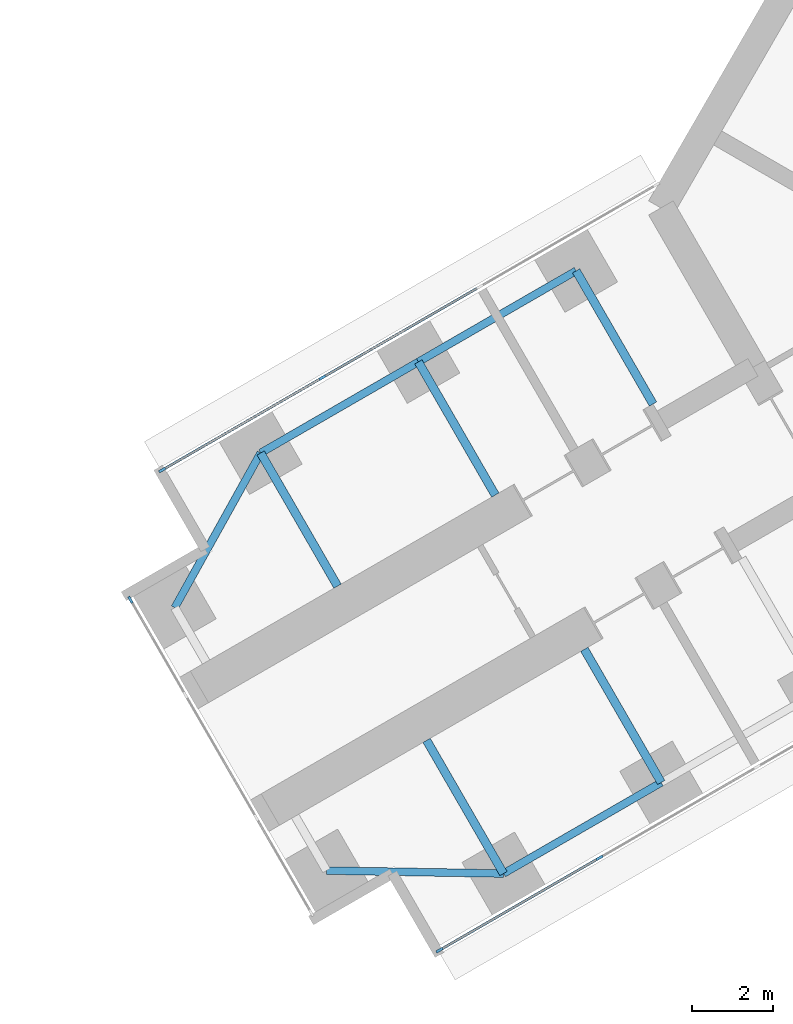
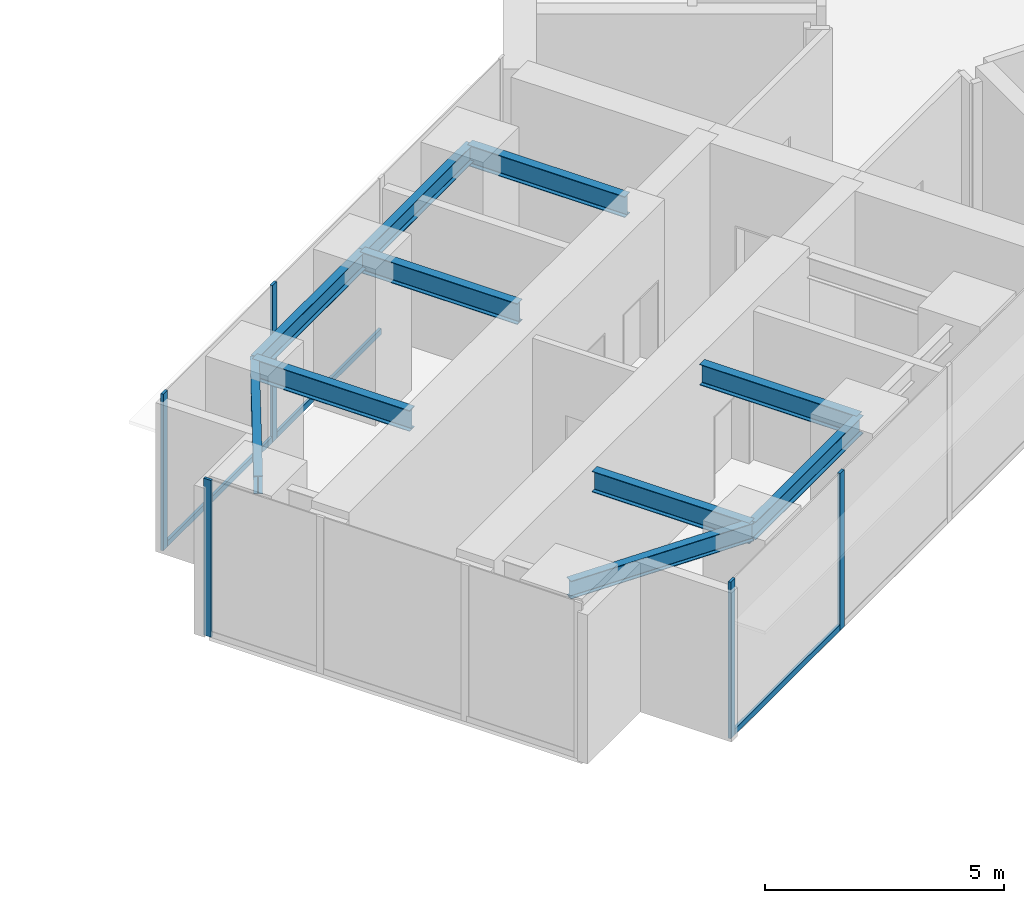
# One storey, part 4 of 23: 10 beams, 8 members, 3 elements without a shape of their own.
"""IFC4 building model written with IfcOpenShell, lengths in metres."""

from ifc_helpers import new_model, si_unit, direction, frame, origin, origin_2d, place, context, subcontext, project, spatial, rectangle, i_section, extrude, material, material_profile, profile_set, type_object, element, aggregate, save


model = new_model("IFC4")

# Units and contexts
model_context = context("Model", 3, precision=1e-05, world=origin(), true_north=direction((0.0, 1.0)))
body_context = subcontext(model_context, "Body", "Model", "MODEL_VIEW")
ifc_project = project(units=[si_unit("LENGTHUNIT", "METRE"), si_unit("AREAUNIT", "SQUARE_METRE"), si_unit("VOLUMEUNIT", "CUBIC_METRE"), si_unit("PLANEANGLEUNIT", "RADIAN"), si_unit("MASSUNIT", "GRAM", prefix="KILO")], contexts=[model_context])

# Site, building, storey
site_placement = place(None, origin())
site = spatial("IfcSite", under=ifc_project, at=site_placement, CompositionType="ELEMENT")
building_placement = place(site_placement, origin())
building = spatial("IfcBuilding", under=site, at=building_placement, Name="Upepo Twin Towers", CompositionType="ELEMENT")
storey_placement = place(building_placement, frame((0.0, 0.0, 32.5)))
storey = spatial("IfcBuildingStorey", under=building, at=storey_placement, Name="L07", CompositionType="ELEMENT", Elevation=32.5)

# Beams
ifc_material_1 = material(Name="Steel S355", Category="steel")
ifc_material_profile_1 = material_profile(ifc_material_1, i_section(OverallWidth=0.1904296875, OverallDepth=0.45703125, WebThickness=0.009033203125, FlangeThickness=0.014404296875, FilletRadius=0.01025390625, at=origin_2d()), Name="UB 457x191x74")
ifc_profile_set_1 = profile_set([ifc_material_profile_1], Name="Steel S355")
beam_type_1 = type_object("IfcBeamType", Name="Beam UB 457x191x74", PredefinedType="BEAM", material=ifc_profile_set_1)
beam_1_placement = place(storey_placement, frame((45.91162109375, -32.196044921875, 3.571533203125), z_axis=(-0.866031096941, -0.499990139034, 0.0), x_axis=(0.499990139034, -0.866031096941, 0.0)))
element("IfcBeam", 1, at=beam_1_placement, inside=storey, type_object=beam_type_1, Name="T2 edge beam BL 18.0-22.5", PredefinedType="BEAM", context=body_context, shape_type="SweptSolid", body=[
    extrude(i_section(OverallWidth=0.1904296875, OverallDepth=0.45703125, WebThickness=0.009033203125, FlangeThickness=0.014404296875, FilletRadius=0.01025390625, at=origin_2d()), origin(), (0.0, 0.0, 1.0), 4.5),
])
beam_2_placement = place(storey_placement, frame((42.014404296875, -34.446044921875, 3.571533203125), z_axis=(-0.999858804832, 0.016803880528, 0.0), x_axis=(-0.016803880528, -0.999858804832, 0.0)))
element("IfcBeam", 2, at=beam_2_placement, inside=storey, type_object=beam_type_1, Name="T2 nose edge beam BL", PredefinedType="BEAM", context=body_context, shape_type="SweptSolid", body=[
    extrude(i_section(OverallWidth=0.1904296875, OverallDepth=0.45703125, WebThickness=0.009033203125, FlangeThickness=0.014404296875, FilletRadius=0.01025390625, at=origin_2d()), origin(), (0.0, 0.0, 1.0), 4.373291015625),
])
beam_3_placement = place(storey_placement, frame((43.80859375, -19.553955078125, 3.571533203125), z_axis=(-0.866017533419, -0.500013631625, 0.0), x_axis=(0.500013631625, -0.866017533419, 0.0)))
element("IfcBeam", 3, at=beam_3_placement, inside=storey, type_object=beam_type_1, Name="T2 edge beam BR 13.5-18.0", PredefinedType="BEAM", context=body_context, shape_type="SweptSolid", body=[
    extrude(i_section(OverallWidth=0.1904296875, OverallDepth=0.45703125, WebThickness=0.009033203125, FlangeThickness=0.014404296875, FilletRadius=0.01025390625, at=origin_2d()), origin(), (0.0, 0.0, 1.0), 4.499755859375),
])
beam_4_placement = place(storey_placement, frame((39.91162109375, -21.803955078125, 3.571533203125), z_axis=(-0.866031096941, -0.499990139034, 0.0), x_axis=(0.499990139034, -0.866031096941, 0.0)))
element("IfcBeam", 4, at=beam_4_placement, inside=storey, type_object=beam_type_1, Name="T2 edge beam BR 18.0-22.5", PredefinedType="BEAM", context=body_context, shape_type="SweptSolid", body=[
    extrude(i_section(OverallWidth=0.1904296875, OverallDepth=0.45703125, WebThickness=0.009033203125, FlangeThickness=0.014404296875, FilletRadius=0.01025390625, at=origin_2d()), origin(), (0.0, 0.0, 1.0), 4.5),
])
beam_5_placement = place(storey_placement, frame((36.014404296875, -24.053955078125, 3.571533203125), z_axis=(-0.485363242752, -0.874312600038, 0.0), x_axis=(0.874312600038, -0.485363242752, 0.0)))
element("IfcBeam", 5, at=beam_5_placement, inside=storey, type_object=beam_type_1, Name="T2 nose edge beam BR", PredefinedType="BEAM", context=body_context, shape_type="SweptSolid", body=[
    extrude(i_section(OverallWidth=0.1904296875, OverallDepth=0.45703125, WebThickness=0.009033203125, FlangeThickness=0.014404296875, FilletRadius=0.01025390625, at=origin_2d()), origin(), (0.0, 0.0, 1.0), 4.373046875),
])
ifc_material_2 = material(Name="Steel S355", Category="steel")
ifc_material_profile_2 = material_profile(ifc_material_2, i_section(OverallWidth=0.209228515625, OverallDepth=0.533203125, WebThickness=0.010009765625, FlangeThickness=0.015625, FilletRadius=0.0126953125, at=origin_2d()), Name="UB 533x210x92")
ifc_profile_set_2 = profile_set([ifc_material_profile_2], Name="Steel S355")
beam_type_2 = type_object("IfcBeamType", Name="Beam UB 533x210x92", PredefinedType="BEAM", material=ifc_profile_set_2)
beam_6_placement = place(storey_placement, frame((45.91162109375, -32.196044921875, 3.533447265625), z_axis=(-0.500043160704, 0.866000483506, 0.0), x_axis=(-0.866000483506, -0.500043160704, 0.0)))
element("IfcBeam", 6, at=beam_6_placement, inside=storey, type_object=beam_type_2, Name="T2 girder BL at 18.0", PredefinedType="BEAM", context=body_context, shape_type="SweptSolid", body=[
    extrude(i_section(OverallWidth=0.209228515625, OverallDepth=0.533203125, WebThickness=0.010009765625, FlangeThickness=0.015625, FilletRadius=0.0126953125, at=origin_2d()), origin(), (0.0, 0.0, 1.0), 3.800048828125),
])
beam_7_placement = place(storey_placement, frame((42.014404296875, -34.446044921875, 3.533447265625), z_axis=(-0.499994975061, 0.866028304915, 0.0), x_axis=(-0.866028304915, -0.499994975061, 0.0)))
element("IfcBeam", 7, at=beam_7_placement, inside=storey, type_object=beam_type_2, Name="T2 girder BL at 22.5", PredefinedType="BEAM", context=body_context, shape_type="SweptSolid", body=[
    extrude(i_section(OverallWidth=0.209228515625, OverallDepth=0.533203125, WebThickness=0.010009765625, FlangeThickness=0.015625, FilletRadius=0.0126953125, at=origin_2d()), origin(), (0.0, 0.0, 1.0), 3.7998046875),
])
beam_8_placement = place(storey_placement, frame((43.80859375, -19.553955078125, 3.533447265625), z_axis=(0.500043160704, -0.866000483506, 0.0), x_axis=(0.866000483506, 0.500043160704, 0.0)))
element("IfcBeam", 8, at=beam_8_placement, inside=storey, type_object=beam_type_2, Name="T2 girder BR at 13.5", PredefinedType="BEAM", context=body_context, shape_type="SweptSolid", body=[
    extrude(i_section(OverallWidth=0.209228515625, OverallDepth=0.533203125, WebThickness=0.010009765625, FlangeThickness=0.015625, FilletRadius=0.0126953125, at=origin_2d()), origin(), (0.0, 0.0, 1.0), 3.800048828125),
])
for number, where, z_axis, x_axis, name in (
    (9, (39.91162109375, -21.803955078125, 3.533447265625), (0.499994975061, -0.866028304915, 0.0), (0.866028304915, 0.499994975061, 0.0), "T2 girder BR at 18.0"),
    (10, (36.014404296875, -24.053955078125, 3.533447265625), (0.499994975061, -0.866028304915, 0.0), (0.866028304915, 0.499994975061, 0.0), "T2 girder BR at 22.5"),
):
    element("IfcBeam", number, at=place(storey_placement, frame(where, z_axis=z_axis, x_axis=x_axis)), inside=storey, type_object=beam_type_2, Name=name, PredefinedType="BEAM", context=body_context, shape_type="SweptSolid", body=[
        extrude(i_section(OverallWidth=0.209228515625, OverallDepth=0.533203125, WebThickness=0.010009765625, FlangeThickness=0.015625, FilletRadius=0.0126953125, at=origin_2d()), origin(), (0.0, 0.0, 1.0), 3.7998046875),
    ])

# Curtain wall, members
ifc_material_3 = material(Name="Aluminium and fritted glass", Category="aluminium")
curtain_wall_type = type_object("IfcCurtainWallType", Name="Tower curtain wall TW1, fritted glass", PredefinedType="NOTDEFINED", material=ifc_material_3)
curtain_wall_1_placement = place(storey_placement, origin())
curtain_wall_1 = element("IfcCurtainWall", 11, at=curtain_wall_1_placement, inside=storey, type_object=curtain_wall_type, Name="T2 L07 wing B flank L curtain wall", PredefinedType="NOTDEFINED")
ifc_material_4 = material(Name="Aluminium mullion", Category="aluminium")
ifc_material_profile_3 = material_profile(ifc_material_4, rectangle(XDim=0.06494140625, YDim=0.179931640625, at=origin_2d()), Name="MULLION 65x180")
ifc_profile_set_3 = profile_set([ifc_material_profile_3], Name="Aluminium mullion")
member_type_1 = type_object("IfcMemberType", Name="Mullion 65x180 TW1", PredefinedType="MULLION", material=ifc_profile_set_3)
member_1_placement = place(storey_placement, frame((44.387939453125, -34.057373046875, 0.0), z_axis=(0.0, 0.0, 1.0), x_axis=(0.500000024426, -0.866025389682, 0.0)))
member_1 = element("IfcMember", 12, at=member_1_placement, type_object=member_type_1, Name="T2 L07 wing B flank L curtain wall mullion 3", PredefinedType="MULLION", context=body_context, shape_type="SweptSolid", body=[
    extrude(rectangle(XDim=0.06494140625, YDim=0.179931640625, at=origin_2d()), origin(), (0.0, 0.0, 1.0), 4.0),
])
member_2_placement = place(storey_placement, frame((40.432373046875, -36.341064453125, 0.0), z_axis=(0.0, 0.0, 1.0), x_axis=(0.500000024426, -0.866025389682, 0.0)))
member_2 = element("IfcMember", 13, at=member_2_placement, type_object=member_type_1, Name="T2 L07 wing B flank L curtain wall mullion 4", PredefinedType="MULLION", context=body_context, shape_type="SweptSolid", body=[
    extrude(rectangle(XDim=0.06494140625, YDim=0.179931640625, at=origin_2d()), origin(), (0.0, 0.0, 1.0), 4.0),
])

curtain_wall_2_placement = place(storey_placement, origin())
curtain_wall_2 = element("IfcCurtainWall", 14, at=curtain_wall_2_placement, inside=storey, type_object=curtain_wall_type, Name="T2 L07 wing B flank R curtain wall", PredefinedType="NOTDEFINED")
member_3_placement = place(storey_placement, frame((33.58251953125, -24.4765625, 0.0), z_axis=(0.0, 0.0, 1.0), x_axis=(-0.500000024426, 0.866025389682, 0.0)))
member_3 = element("IfcMember", 15, at=member_3_placement, type_object=member_type_1, Name="T2 L07 wing B flank R curtain wall mullion 1", PredefinedType="MULLION", context=body_context, shape_type="SweptSolid", body=[
    extrude(rectangle(XDim=0.06494140625, YDim=0.179931640625, at=origin_2d()), origin(), (0.0, 0.0, 1.0), 4.0),
])
member_4_placement = place(storey_placement, frame((37.5380859375, -22.192626953125, 0.0), z_axis=(0.0, 0.0, 1.0), x_axis=(-0.500000024426, 0.866025389682, 0.0)))
member_4 = element("IfcMember", 16, at=member_4_placement, type_object=member_type_1, Name="T2 L07 wing B flank R curtain wall mullion 2", PredefinedType="MULLION", context=body_context, shape_type="SweptSolid", body=[
    extrude(rectangle(XDim=0.06494140625, YDim=0.179931640625, at=origin_2d()), origin(), (0.0, 0.0, 1.0), 4.0),
])

# Curtain wall, member
curtain_wall_3_placement = place(storey_placement, origin())
curtain_wall_3 = element("IfcCurtainWall", 17, at=curtain_wall_3_placement, inside=storey, type_object=curtain_wall_type, Name="T2 L07 wing B nose curtain wall", PredefinedType="NOTDEFINED")
member_5_placement = place(storey_placement, frame((32.796875, -27.68115234375, 0.0), z_axis=(0.0, 0.0, 1.0), x_axis=(0.866025386174, 0.500000030502, 0.0)))
member_5 = element("IfcMember", 18, at=member_5_placement, type_object=member_type_1, Name="T2 L07 wing B nose curtain wall mullion 1", PredefinedType="MULLION", context=body_context, shape_type="SweptSolid", body=[
    extrude(rectangle(XDim=0.06494140625, YDim=0.179931640625, at=origin_2d()), origin(), (0.0, 0.0, 1.0), 4.0),
])
aggregate(curtain_wall_3, [member_5])

# Member
ifc_material_5 = material(Name="Aluminium transom", Category="aluminium")
ifc_material_profile_4 = material_profile(ifc_material_5, rectangle(XDim=0.06494140625, YDim=0.14990234375, at=origin_2d()), Name="TRANSOM 65x150")
ifc_profile_set_4 = profile_set([ifc_material_profile_4], Name="Aluminium transom")
member_type_2 = type_object("IfcMemberType", Name="Transom 65x150 TW1", PredefinedType="USERDEFINED", material=ifc_profile_set_4)
member_6_placement = place(storey_placement, frame((44.35986328125, -34.073486328125, 0.074951171875), z_axis=(-0.866035699072, -0.499982167615, 0.0), x_axis=(0.499982167615, -0.866035699072, 0.0)))
member_6 = element("IfcMember", 19, at=member_6_placement, type_object=member_type_2, Name="T2 L07 wing B flank L curtain wall transom 3", ObjectType="TRANSOM", PredefinedType="USERDEFINED", context=body_context, shape_type="SweptSolid", body=[
    extrude(rectangle(XDim=0.06494140625, YDim=0.14990234375, at=origin_2d()), origin(), (0.0, 0.0, 1.0), 4.502685546875),
])

aggregate(curtain_wall_1, [member_1, member_2, member_6])

member_7_placement = place(storey_placement, frame((33.610595703125, -24.460205078125, 0.074951171875), z_axis=(0.866022143554, 0.500005646842, 0.0), x_axis=(-0.500005646842, 0.866022143554, 0.0)))
member_7 = element("IfcMember", 20, at=member_7_placement, type_object=member_type_2, Name="T2 L07 wing B flank R curtain wall transom 1", ObjectType="TRANSOM", PredefinedType="USERDEFINED", context=body_context, shape_type="SweptSolid", body=[
    extrude(rectangle(XDim=0.06494140625, YDim=0.14990234375, at=origin_2d()), origin(), (0.0, 0.0, 1.0), 4.50244140625),
])

member_8_placement = place(storey_placement, frame((37.566162109375, -22.176513671875, 0.074951171875), z_axis=(0.866022410713, 0.500005184116, 0.0), x_axis=(-0.500005184116, 0.866022410713, 0.0)))
member_8 = element("IfcMember", 21, at=member_8_placement, type_object=member_type_2, Name="T2 L07 wing B flank R curtain wall transom 2", ObjectType="TRANSOM", PredefinedType="USERDEFINED", context=body_context, shape_type="SweptSolid", body=[
    extrude(rectangle(XDim=0.06494140625, YDim=0.14990234375, at=origin_2d()), origin(), (0.0, 0.0, 1.0), 4.43505859375),
])

aggregate(curtain_wall_2, [member_3, member_4, member_7, member_8])

save(model, "model.ifc")
